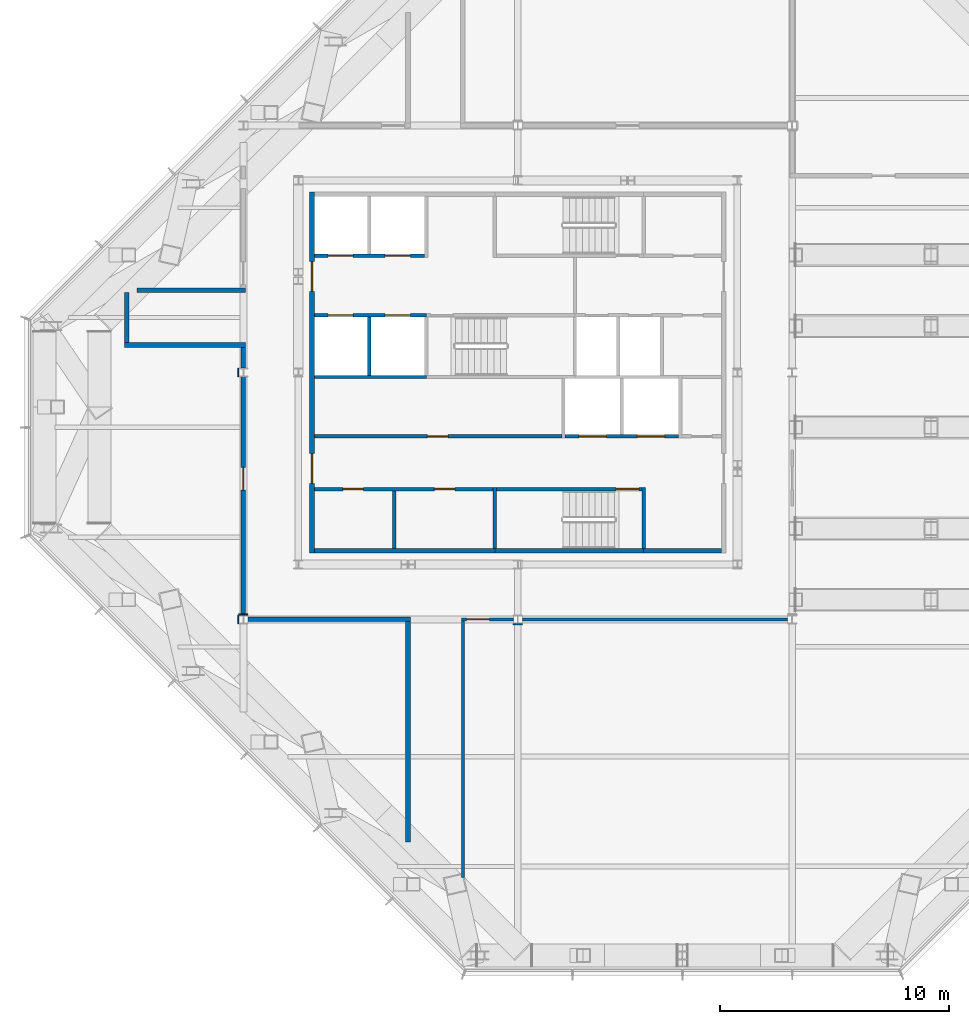
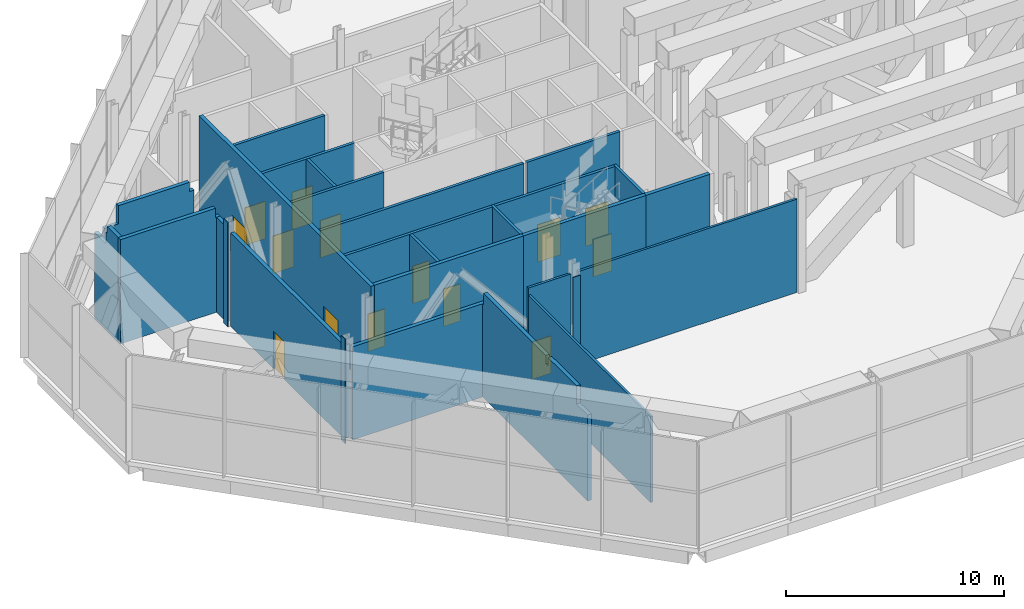
# One storey, part 14 of 18: 29 walls, 14 doors, 14 openings.
"""IFC4 building model written with IfcOpenShell, lengths in metres."""

import ifcopenshell
import ifcopenshell.guid

model = None  # the IFC model being written
_history = None  # IfcOwnerHistory: only IFC2X3 demands one
_inside = {}  # id of a spatial element -> (the spatial element, [elements in it])
_under = {}  # id of a project, library or spatial element -> (it, [spatial elements below it])
_declared = {}  # id of a project -> (the project, [libraries it declares])
_typed = {}  # id of a type object -> (the type object, [elements of that type])
_made_of = {}  # id of a material, layer set ... -> (it, [elements and type objects made of it])


def new_model(schema):
    """Start an empty IFC model of exactly this schema.

    Asked for "IFC4X3", IfcOpenShell would pick the latest addendum, in which some entities
    have other attributes; the version numbers below select the first issue.
    IFC2X3 requires an IfcOwnerHistory on every rooted entity: one is made here for all.
    """
    global model, _history
    if schema == "IFC4X3":
        model = ifcopenshell.file(schema_version=(4, 3, 0, 0))
    else:
        model = ifcopenshell.file(schema=schema)
    _inside.clear()
    _under.clear()
    _declared.clear()
    _typed.clear()
    _made_of.clear()
    _history = None
    if model.schema == "IFC2X3":
        org = make("IfcOrganization", Name="unknown")
        user = make(
            "IfcPersonAndOrganization",
            ThePerson=make("IfcPerson", FamilyName="unknown"),
            TheOrganization=org,
        )
        app = make(
            "IfcApplication",
            ApplicationDeveloper=org,
            Version="unknown",
            ApplicationFullName="unknown",
            ApplicationIdentifier="unknown",
        )
        _history = make(
            "IfcOwnerHistory",
            OwningUser=user,
            OwningApplication=app,
            ChangeAction="ADDED",
            CreationDate=0,
        )
    return model


def make(cls, **values):
    """One entity of the class cls with the attributes given. An attribute that is None is left unset."""
    return model.create_entity(
        cls, **{name: value for name, value in values.items() if value is not None}
    )


def rooted(cls, **values):
    """An entity with a GlobalId (a new one), such as an element, a storey or a relation."""
    return make(cls, GlobalId=ifcopenshell.guid.new(), OwnerHistory=_history, **values)


def si_unit(unit_type, name, prefix=None):
    """IfcSIUnit, for example si_unit("LENGTHUNIT", "METRE", prefix="MILLI")."""
    return make("IfcSIUnit", UnitType=unit_type, Prefix=prefix, Name=name)


def assignment(units):
    """IfcUnitAssignment: the units of a project."""
    return None if units is None else make("IfcUnitAssignment", Units=units)


def point(xyz):
    """IfcCartesianPoint."""
    return None if xyz is None else make("IfcCartesianPoint", Coordinates=xyz)


def direction(xyz):
    """IfcDirection."""
    return None if xyz is None else make("IfcDirection", DirectionRatios=xyz)


def frame(location, z_axis=None, x_axis=None):
    """IfcAxis2Placement3D, a coordinate frame: its origin and axes. An axis left out is left unset."""
    return make(
        "IfcAxis2Placement3D",
        Location=point(location),
        Axis=direction(z_axis),
        RefDirection=direction(x_axis),
    )


def frame_2d(location, x_axis=None):
    """IfcAxis2Placement2D, a coordinate frame in the plane: its origin and x axis."""
    return make(
        "IfcAxis2Placement2D", Location=point(location), RefDirection=direction(x_axis)
    )


def origin():
    """The frame at (0, 0, 0) with its axes left unset."""
    return frame((0.0, 0.0, 0.0))


def place(relative_to, where):
    """IfcLocalPlacement: puts the frame where relative to a parent placement (None: the world)."""
    return make(
        "IfcLocalPlacement", PlacementRelTo=relative_to, RelativePlacement=where
    )


def context(
    kind, dimensions, precision=None, world=None, true_north=None, identifier=None
):
    """IfcGeometricRepresentationContext, for example the 3D "Model" context."""
    return make(
        "IfcGeometricRepresentationContext",
        ContextIdentifier=identifier,
        ContextType=kind,
        CoordinateSpaceDimension=dimensions,
        Precision=precision,
        WorldCoordinateSystem=world,
        TrueNorth=true_north,
    )


def subcontext(parent, identifier, kind, view, scale=None):
    """IfcGeometricRepresentationSubContext, for example "Body" below "Model"."""
    return make(
        "IfcGeometricRepresentationSubContext",
        ContextIdentifier=identifier,
        ContextType=kind,
        ParentContext=parent,
        TargetScale=scale,
        TargetView=view,
    )


def project(units=None, contexts=None):
    """IfcProject with its units and contexts."""
    return rooted(
        "IfcProject",
        Name="project",
        RepresentationContexts=contexts,
        UnitsInContext=assignment(units),
    )


def spatial(cls, under=None, at=None, **own):
    """A site, building, storey or space (cls), placed at a placement, below another one or the project."""
    s = rooted(cls, ObjectPlacement=at, **own)
    if under is not None:
        _under.setdefault(under.id(), (under, []))[1].append(s)
    return s


def polyline(points):
    """IfcPolyline through the points."""
    return make("IfcPolyline", Points=[point(p) for p in points])


def profile(cls, at=None, kind="AREA", **sizes):
    """A parametric profile (cls). Its sizes go by their IFC names, for example OverallWidth=200.0."""
    return make(cls, ProfileType=kind, Position=at, **sizes)


def rectangle(**sizes):
    """IfcRectangleProfileDef."""
    return profile("IfcRectangleProfileDef", **sizes)


def outline(outer, holes=None, kind="AREA"):
    """IfcArbitraryClosedProfileDef: a profile drawn as a closed curve; with holes, ...WithVoids."""
    if holes is None:
        return make("IfcArbitraryClosedProfileDef", ProfileType=kind, OuterCurve=outer)
    return make(
        "IfcArbitraryProfileDefWithVoids",
        ProfileType=kind,
        OuterCurve=outer,
        InnerCurves=holes,
    )


def extrude(swept, where, along, depth):
    """IfcExtrudedAreaSolid: the profile swept, set in the frame where, extruded along a direction by depth."""
    return make(
        "IfcExtrudedAreaSolid",
        SweptArea=swept,
        Position=where,
        ExtrudedDirection=direction(along),
        Depth=depth,
    )


def shape(context_of_items, identifier, shape_type, items):
    """IfcShapeRepresentation: the items that make up one representation, for example the "Body"."""
    return make(
        "IfcShapeRepresentation",
        ContextOfItems=context_of_items,
        RepresentationIdentifier=identifier,
        RepresentationType=shape_type,
        Items=items,
    )


def material(Name=None, Category=None):
    """IfcMaterial."""
    return make("IfcMaterial", Name=Name, Category=Category)


def layer(
    of_material, thickness, ventilated=None, Name=None, Category=None, Priority=None
):
    """IfcMaterialLayer: one layer of a wall or slab, of a material (None: an air gap)."""
    return make(
        "IfcMaterialLayer",
        Material=of_material,
        LayerThickness=thickness,
        IsVentilated=ventilated,
        Name=Name,
        Category=Category,
        Priority=Priority,
    )


def layer_set(layers, Name=None):
    """IfcMaterialLayerSet."""
    return make("IfcMaterialLayerSet", MaterialLayers=layers, LayerSetName=Name)


def made_of(thing, what):
    """Note that an element or type object is made of a material, layer set ...; save() writes the relation."""
    if what is not None:
        _made_of.setdefault(what.id(), (what, []))[1].append(thing)
    return thing


def type_object(cls, material=None, **own):
    """A type object (cls), such as IfcWallType, which elements share."""
    return made_of(rooted(cls, **own), material)


def element(
    cls,
    number,
    at=None,
    inside=None,
    cuts=None,
    type_object=None,
    material=None,
    context=None,
    identifier="Body",
    shape_type=None,
    held_by="IfcProductDefinitionShape",
    body=None,
    shapes=None,
    **own,
):
    """One element of the class cls, such as IfcWall. Its Tag is "e" and its number.

    at: its placement. inside: the storey or other place that contains it. cuts: it is an
    opening in that element (IfcRelVoidsElement). A single representation is given by context,
    identifier, shape_type and body (its items); several are given by shapes. held_by: the class
    of the entity that holds the representations. save() writes the other relations.
    """
    e = rooted(cls, Tag="e%d" % number, ObjectPlacement=at, **own)
    if body is not None:
        shapes = [shape(context, identifier, shape_type, body)]
    if shapes is not None:
        e.Representation = make(held_by, Representations=shapes)
    if inside is not None:
        _inside.setdefault(inside.id(), (inside, []))[1].append(e)
    if cuts is not None:
        rooted(
            "IfcRelVoidsElement", RelatingBuildingElement=cuts, RelatedOpeningElement=e
        )
    if type_object is not None:
        _typed.setdefault(type_object.id(), (type_object, []))[1].append(e)
    return made_of(e, material)


def fill(opening, filler):
    """IfcRelFillsElement: the door or window that sits in an opening."""
    return rooted(
        "IfcRelFillsElement",
        RelatingOpeningElement=opening,
        RelatedBuildingElement=filler,
    )


def aggregate(whole, parts):
    """IfcRelAggregates: a whole, such as a stair, and the parts it consists of."""
    return rooted("IfcRelAggregates", RelatingObject=whole, RelatedObjects=parts)


def save(model, path):
    """Write the relations noted so far, then the file.

    IfcRelAggregates (storeys below a building ...), IfcRelContainedInSpatialStructure (elements
    in a storey), IfcRelDefinesByType, IfcRelAssociatesMaterial and IfcRelDeclares: one each for
    every whole, place, type object, material and project.
    """
    for whole, parts in _under.values():
        aggregate(whole, parts)
    for where, things in _inside.values():
        rooted(
            "IfcRelContainedInSpatialStructure",
            RelatedElements=things,
            RelatingStructure=where,
        )
    for kind, things in _typed.values():
        rooted("IfcRelDefinesByType", RelatedObjects=things, RelatingType=kind)
    for what, things in _made_of.values():
        rooted("IfcRelAssociatesMaterial", RelatedObjects=things, RelatingMaterial=what)
    for by, libraries in _declared.values():
        rooted("IfcRelDeclares", RelatingContext=by, RelatedDefinitions=libraries)
    model.write(path)


model = new_model("IFC4")

# Units and contexts
model_context = context("Model", 3, precision=1e-05, world=origin(), true_north=direction((0.0, 1.0)))
body_context = subcontext(model_context, "Body", "Model", "MODEL_VIEW")
ifc_project = project(units=[si_unit("LENGTHUNIT", "METRE"), si_unit("AREAUNIT", "SQUARE_METRE"), si_unit("VOLUMEUNIT", "CUBIC_METRE"), si_unit("PLANEANGLEUNIT", "RADIAN"), si_unit("MASSUNIT", "GRAM", prefix="KILO")], contexts=[model_context])

# Site, building, storey
site_placement = place(None, origin())
site = spatial("IfcSite", under=ifc_project, at=site_placement, CompositionType="ELEMENT")
building_placement = place(site_placement, origin())
building = spatial("IfcBuilding", under=site, at=building_placement, Name="Cairn Pilgrim Tower", CompositionType="ELEMENT")
storey_placement = place(building_placement, frame((0.0, 0.0, 261.0)))
storey = spatial("IfcBuildingStorey", under=building, at=storey_placement, Name="L67", CompositionType="ELEMENT", Elevation=261.0)

# Walls
ifc_material_1 = material(Name="Concrete C32/40", Category="concrete")
ifc_layer_1 = layer(ifc_material_1, 0.199951171875)
ifc_layer_set_1 = layer_set([ifc_layer_1], Name="CORE OUTER WALL 200 EI 120")
wall_type_1 = type_object("IfcWallType", Name="CORE OUTER WALL 200 EI 120", PredefinedType="SOLIDWALL", material=ifc_layer_set_1)
wall_1_placement = place(storey_placement, frame((-1.699951171875, -5.39990234375, 0.0), z_axis=(0.0, 0.0, 1.0), x_axis=(1.0, 0.0, 0.0)))
element("IfcWall", 1, at=wall_1_placement, inside=storey, type_object=wall_type_1, Name="CW:L67:H01-1", PredefinedType="SOLIDWALL", context=body_context, shape_type="SweptSolid", body=[
    extrude(rectangle(XDim=7.89990234375, YDim=0.199951171875, at=frame_2d((3.949951171875, 0.0))), origin(), (0.0, 0.0, 1.0), 5.85009765625),
])
wall_2_placement = place(storey_placement, frame((12.699951171875, -5.39990234375, 0.0), z_axis=(0.0, 0.0, 1.0), x_axis=(1.0, 0.0, 0.0)))
element("IfcWall", 2, at=wall_2_placement, inside=storey, type_object=wall_type_1, Name="CW:L67:H01-3", PredefinedType="SOLIDWALL", context=body_context, shape_type="SweptSolid", body=[
    extrude(rectangle(XDim=3.400146484375, YDim=0.199951171875, at=frame_2d((1.7001953125, 0.0))), origin(), (0.0, 0.0, 1.0), 5.85009765625),
])

# Wall, openings, doors
wall_3_placement = place(storey_placement, frame((-1.800048828125, -5.5, 0.0), z_axis=(0.0, 0.0, 1.0), x_axis=(0.0, 1.0, 0.0)))
wall_3 = element("IfcWall", 3, at=wall_3_placement, inside=storey, type_object=wall_type_1, Name="CW:L67:V13", PredefinedType="SOLIDWALL", context=body_context, shape_type="SweptSolid", body=[
    extrude(rectangle(XDim=15.800048828125, YDim=0.199951171875, at=frame_2d((7.89990234375, 0.0))), origin(), (0.0, 0.0, 1.0), 5.85009765625),
])
opening_1_placement = place(wall_3_placement, frame((3.050048828125, 0.0, 0.0)))
opening_1 = element("IfcOpeningElement", 4, at=opening_1_placement, cuts=wall_3, Name="Opening CD-W1", PredefinedType="OPENING", context=body_context, shape_type="SweptSolid", body=[
    extrude(rectangle(XDim=1.300048828125, YDim=2.10009765625, at=frame_2d((0.64990234375, 1.050048828125))), frame((0.0, 0.10986328125, 0.0), z_axis=(0.0, -1.0, 0.0), x_axis=(1.0, 0.0, 0.0)), (0.0, 0.0, 1.0), 0.219970703125),
])
opening_2_placement = place(wall_3_placement, frame((11.449951171875, 0.0, 0.0)))
opening_2 = element("IfcOpeningElement", 5, at=opening_2_placement, cuts=wall_3, Name="Opening CD-W2", PredefinedType="OPENING", context=body_context, shape_type="SweptSolid", body=[
    extrude(rectangle(XDim=1.300048828125, YDim=2.10009765625, at=frame_2d((0.64990234375, 1.050048828125))), frame((0.0, 0.10986328125, 0.0), z_axis=(0.0, -1.0, 0.0), x_axis=(1.0, 0.0, 0.0)), (0.0, 0.0, 1.0), 0.219970703125),
])
ifc_material_2 = material(Name="Painted steel", Category="steel")
door_type_1 = type_object("IfcDoorType", Name="CORE LOBBY DOOR 1300x2100", OperationType="DOUBLE_DOOR_SINGLE_SWING", PredefinedType="DOOR", material=ifc_material_2)
door_1_placement = place(opening_1_placement, origin())
door_1 = element("IfcDoor", 6, at=door_1_placement, inside=storey, type_object=door_type_1, Name="CD-W1", OperationType="DOUBLE_DOOR_SINGLE_SWING", OverallHeight=2.10009765625, OverallWidth=1.300048828125, PredefinedType="DOOR", context=body_context, shape_type="SweptSolid", body=[
    extrude(rectangle(XDim=1.300048828125, YDim=2.10009765625, at=frame_2d((0.64990234375, 1.050048828125))), frame((0.0, 0.02490234375, 0.0), z_axis=(0.0, -1.0, 0.0), x_axis=(1.0, 0.0, 0.0)), (0.0, 0.0, 1.0), 0.050048828125),
])
fill(opening_1, door_1)
door_2_placement = place(opening_2_placement, origin())
door_2 = element("IfcDoor", 7, at=door_2_placement, inside=storey, type_object=door_type_1, Name="CD-W2", OperationType="DOUBLE_DOOR_SINGLE_SWING", OverallHeight=2.10009765625, OverallWidth=1.300048828125, PredefinedType="DOOR", context=body_context, shape_type="SweptSolid", body=[
    extrude(rectangle(XDim=1.300048828125, YDim=2.10009765625, at=frame_2d((0.64990234375, 1.050048828125))), frame((0.0, 0.02490234375, 0.0), z_axis=(0.0, -1.0, 0.0), x_axis=(1.0, 0.0, 0.0)), (0.0, 0.0, 1.0), 0.050048828125),
])
fill(opening_2, door_2)

ifc_layer_2 = layer(ifc_material_1, 0.14990234375)
ifc_layer_set_2 = layer_set([ifc_layer_2], Name="CORE PARTITION 150 EI 60")
wall_type_2 = type_object("IfcWallType", Name="CORE PARTITION 150 EI 60", PredefinedType="PARTITIONING", material=ifc_layer_set_2)
wall_4_placement = place(storey_placement, frame((-1.699951171875, -2.699951171875, 0.0), z_axis=(0.0, 0.0, 1.0), x_axis=(1.0, 0.0, 0.0)))
wall_4 = element("IfcWall", 8, at=wall_4_placement, inside=storey, type_object=wall_type_2, Name="CW:L67:H02", PredefinedType="PARTITIONING", context=body_context, shape_type="SweptSolid", body=[
    extrude(rectangle(XDim=7.824951171875, YDim=0.14990234375, at=frame_2d((3.91259765625, 0.0))), origin(), (0.0, 0.0, 1.0), 5.85009765625),
])
opening_3_placement = place(wall_4_placement, frame((1.25, 0.0, 0.0)))
opening_3 = element("IfcOpeningElement", 9, at=opening_3_placement, cuts=wall_4, Name="Opening RD-R1W1", PredefinedType="OPENING", context=body_context, shape_type="SweptSolid", body=[
    extrude(rectangle(XDim=0.89990234375, YDim=2.10009765625, at=frame_2d((0.449951171875, 1.050048828125))), frame((0.0, 0.0849609375, 0.0), z_axis=(0.0, -1.0, 0.0), x_axis=(1.0, 0.0, 0.0)), (0.0, 0.0, 1.0), 0.169921875),
])
opening_4_placement = place(wall_4_placement, frame((5.25, 0.0, 0.0)))
opening_4 = element("IfcOpeningElement", 10, at=opening_4_placement, cuts=wall_4, Name="Opening RD-R1W2", PredefinedType="OPENING", context=body_context, shape_type="SweptSolid", body=[
    extrude(rectangle(XDim=0.89990234375, YDim=2.10009765625, at=frame_2d((0.449951171875, 1.050048828125))), frame((0.0, 0.0849609375, 0.0), z_axis=(0.0, -1.0, 0.0), x_axis=(1.0, 0.0, 0.0)), (0.0, 0.0, 1.0), 0.169921875),
])
door_type_2 = type_object("IfcDoorType", Name="SERVICE ROOM DOOR 900x2100", OperationType="SINGLE_SWING_LEFT", PredefinedType="DOOR", material=ifc_material_2)
door_3_placement = place(opening_3_placement, origin())
door_3 = element("IfcDoor", 11, at=door_3_placement, inside=storey, type_object=door_type_2, Name="RD-R1W1", OperationType="SINGLE_SWING_RIGHT", OverallHeight=2.10009765625, OverallWidth=0.89990234375, PredefinedType="DOOR", context=body_context, shape_type="SweptSolid", body=[
    extrude(rectangle(XDim=0.89990234375, YDim=2.10009765625, at=frame_2d((0.449951171875, 1.050048828125))), frame((0.0, 0.02490234375, 0.0), z_axis=(0.0, -1.0, 0.0), x_axis=(1.0, 0.0, 0.0)), (0.0, 0.0, 1.0), 0.050048828125),
])
fill(opening_3, door_3)
door_4_placement = place(opening_4_placement, origin())
door_4 = element("IfcDoor", 12, at=door_4_placement, inside=storey, type_object=door_type_2, Name="RD-R1W2", OperationType="SINGLE_SWING_LEFT", OverallHeight=2.10009765625, OverallWidth=0.89990234375, PredefinedType="DOOR", context=body_context, shape_type="SweptSolid", body=[
    extrude(rectangle(XDim=0.89990234375, YDim=2.10009765625, at=frame_2d((0.449951171875, 1.050048828125))), frame((0.0, 0.02490234375, 0.0), z_axis=(0.0, -1.0, 0.0), x_axis=(1.0, 0.0, 0.0)), (0.0, 0.0, 1.0), 0.050048828125),
])
fill(opening_4, door_4)

# Wall, opening, door
wall_5_placement = place(storey_placement, frame((-1.699951171875, -0.39990234375, 0.0), z_axis=(0.0, 0.0, 1.0), x_axis=(1.0, 0.0, 0.0)))
wall_5 = element("IfcWall", 13, at=wall_5_placement, inside=storey, type_object=wall_type_2, Name="CW:L67:H04", PredefinedType="PARTITIONING", context=body_context, shape_type="SweptSolid", body=[
    extrude(rectangle(XDim=10.824951171875, YDim=0.14990234375, at=frame_2d((5.41259765625, 0.0))), origin(), (0.0, 0.0, 1.0), 5.85009765625),
])
opening_5_placement = place(wall_5_placement, frame((4.949951171875, 0.0, 0.0)))
opening_5 = element("IfcOpeningElement", 14, at=opening_5_placement, cuts=wall_5, Name="Opening RD-R2W1", PredefinedType="OPENING", context=body_context, shape_type="SweptSolid", body=[
    extrude(rectangle(XDim=0.89990234375, YDim=2.10009765625, at=frame_2d((0.449951171875, 1.050048828125))), frame((0.0, 0.0849609375, 0.0), z_axis=(0.0, -1.0, 0.0), x_axis=(1.0, 0.0, 0.0)), (0.0, 0.0, 1.0), 0.169921875),
])
door_5_placement = place(opening_5_placement, origin())
door_5 = element("IfcDoor", 15, at=door_5_placement, inside=storey, type_object=door_type_2, Name="RD-R2W1", OperationType="SINGLE_SWING_RIGHT", OverallHeight=2.10009765625, OverallWidth=0.89990234375, PredefinedType="DOOR", context=body_context, shape_type="SweptSolid", body=[
    extrude(rectangle(XDim=0.89990234375, YDim=2.10009765625, at=frame_2d((0.449951171875, 1.050048828125))), frame((0.0, 0.02490234375, 0.0), z_axis=(0.0, -1.0, 0.0), x_axis=(1.0, 0.0, 0.0)), (0.0, 0.0, 1.0), 0.050048828125),
])
fill(opening_5, door_5)

# Wall
wall_6_placement = place(storey_placement, frame((1.800048828125, -5.300048828125, 0.0), z_axis=(0.0, 0.0, 1.0), x_axis=(0.0, 1.0, 0.0)))
element("IfcWall", 16, at=wall_6_placement, inside=storey, type_object=wall_type_2, Name="CW:L67:V16", PredefinedType="PARTITIONING", context=body_context, shape_type="SweptSolid", body=[
    extrude(rectangle(XDim=2.525146484375, YDim=0.14990234375, at=frame_2d((1.2626953125, 0.0))), origin(), (0.0, 0.0, 1.0), 5.85009765625),
])

# Wall, openings, doors
ifc_layer_3 = layer(ifc_material_1, 0.14990234375)
ifc_layer_set_3 = layer_set([ifc_layer_3], Name="CORE SHAFT WALL 150 EI 120")
wall_type_3 = type_object("IfcWallType", Name="CORE SHAFT WALL 150 EI 120", PredefinedType="SOLIDWALL", material=ifc_layer_set_3)
wall_7_placement = place(storey_placement, frame((9.27490234375, -0.39990234375, 0.0), z_axis=(0.0, 0.0, 1.0), x_axis=(1.0, 0.0, 0.0)))
wall_7 = element("IfcWall", 17, at=wall_7_placement, inside=storey, type_object=wall_type_3, Name="CW:L67:H05", PredefinedType="SOLIDWALL", context=body_context, shape_type="SweptSolid", body=[
    extrude(rectangle(XDim=4.9501953125, YDim=0.14990234375, at=frame_2d((2.47509765625, 0.0))), origin(), (0.0, 0.0, 1.0), 5.85009765625),
])
opening_6_placement = place(wall_7_placement, frame((0.60009765625, 0.0, 0.0)))
opening_6 = element("IfcOpeningElement", 18, at=opening_6_placement, cuts=wall_7, Name="Opening LD-SV1", PredefinedType="OPENING", context=body_context, shape_type="SweptSolid", body=[
    extrude(rectangle(XDim=1.199951171875, YDim=2.10009765625, at=frame_2d((0.60009765625, 1.050048828125))), frame((0.0, 0.0849609375, 0.0), z_axis=(0.0, -1.0, 0.0), x_axis=(1.0, 0.0, 0.0)), (0.0, 0.0, 1.0), 0.169921875),
])
opening_7_placement = place(wall_7_placement, frame((3.14990234375, 0.0, 0.0)))
opening_7 = element("IfcOpeningElement", 19, at=opening_7_placement, cuts=wall_7, Name="Opening LD-SV2", PredefinedType="OPENING", context=body_context, shape_type="SweptSolid", body=[
    extrude(rectangle(XDim=1.199951171875, YDim=2.10009765625, at=frame_2d((0.60009765625, 1.050048828125))), frame((0.0, 0.0849609375, 0.0), z_axis=(0.0, -1.0, 0.0), x_axis=(1.0, 0.0, 0.0)), (0.0, 0.0, 1.0), 0.169921875),
])
ifc_material_3 = material(Name="Stainless steel", Category="steel")
door_type_3 = type_object("IfcDoorType", Name="LIFT LANDING DOOR 1200x2100", OperationType="DOUBLE_DOOR_SLIDING", PredefinedType="DOOR", material=ifc_material_3)
door_6_placement = place(opening_6_placement, origin())
door_6 = element("IfcDoor", 20, at=door_6_placement, inside=storey, type_object=door_type_3, Name="LANDING DOOR SV1", OperationType="DOUBLE_DOOR_SLIDING", OverallHeight=2.10009765625, OverallWidth=1.199951171875, PredefinedType="DOOR", context=body_context, shape_type="SweptSolid", body=[
    extrude(rectangle(XDim=1.199951171875, YDim=2.10009765625, at=frame_2d((0.60009765625, 1.050048828125))), frame((0.0, 0.02490234375, 0.0), z_axis=(0.0, -1.0, 0.0), x_axis=(1.0, 0.0, 0.0)), (0.0, 0.0, 1.0), 0.050048828125),
])
fill(opening_6, door_6)
door_7_placement = place(opening_7_placement, origin())
door_7 = element("IfcDoor", 21, at=door_7_placement, inside=storey, type_object=door_type_3, Name="LANDING DOOR SV2", OperationType="DOUBLE_DOOR_SLIDING", OverallHeight=2.10009765625, OverallWidth=1.199951171875, PredefinedType="DOOR", context=body_context, shape_type="SweptSolid", body=[
    extrude(rectangle(XDim=1.199951171875, YDim=2.10009765625, at=frame_2d((0.60009765625, 1.050048828125))), frame((0.0, 0.02490234375, 0.0), z_axis=(0.0, -1.0, 0.0), x_axis=(1.0, 0.0, 0.0)), (0.0, 0.0, 1.0), 0.050048828125),
])
fill(opening_7, door_7)

# Wall
wall_8_placement = place(storey_placement, frame((-1.699951171875, 2.199951171875, 0.0), z_axis=(0.0, 0.0, 1.0), x_axis=(1.0, 0.0, 0.0)))
element("IfcWall", 22, at=wall_8_placement, inside=storey, type_object=wall_type_3, Name="CW:L67:H07-1", PredefinedType="SOLIDWALL", context=body_context, shape_type="SweptSolid", body=[
    extrude(rectangle(XDim=4.89990234375, YDim=0.14990234375, at=frame_2d((2.449951171875, 0.0))), origin(), (0.0, 0.0, 1.0), 5.85009765625),
])

# Wall, openings, doors
wall_9_placement = place(storey_placement, frame((-1.699951171875, 4.89990234375, 0.0), z_axis=(0.0, 0.0, 1.0), x_axis=(1.0, 0.0, 0.0)))
wall_9 = element("IfcWall", 23, at=wall_9_placement, inside=storey, type_object=wall_type_3, Name="CW:L67:H09-1", PredefinedType="SOLIDWALL", context=body_context, shape_type="SweptSolid", body=[
    extrude(rectangle(XDim=4.89990234375, YDim=0.14990234375, at=frame_2d((2.449951171875, 0.0))), origin(), (0.0, 0.0, 1.0), 5.85009765625),
])
opening_8_placement = place(wall_9_placement, frame((0.60009765625, 0.0, 0.0)))
opening_8 = element("IfcOpeningElement", 24, at=opening_8_placement, cuts=wall_9, Name="Opening LD-HR1", PredefinedType="OPENING", context=body_context, shape_type="SweptSolid", body=[
    extrude(rectangle(XDim=1.10009765625, YDim=2.10009765625, at=frame_2d((0.550048828125, 1.050048828125))), frame((0.0, 0.0849609375, 0.0), z_axis=(0.0, -1.0, 0.0), x_axis=(1.0, 0.0, 0.0)), (0.0, 0.0, 1.0), 0.169921875),
])
opening_9_placement = place(wall_9_placement, frame((3.10009765625, 0.0, 0.0)))
opening_9 = element("IfcOpeningElement", 25, at=opening_9_placement, cuts=wall_9, Name="Opening LD-HR2", PredefinedType="OPENING", context=body_context, shape_type="SweptSolid", body=[
    extrude(rectangle(XDim=1.10009765625, YDim=2.10009765625, at=frame_2d((0.550048828125, 1.050048828125))), frame((0.0, 0.0849609375, 0.0), z_axis=(0.0, -1.0, 0.0), x_axis=(1.0, 0.0, 0.0)), (0.0, 0.0, 1.0), 0.169921875),
])
door_type_4 = type_object("IfcDoorType", Name="LIFT LANDING DOOR 1100x2100", OperationType="DOUBLE_DOOR_SLIDING", PredefinedType="DOOR", material=ifc_material_3)
door_8_placement = place(opening_8_placement, origin())
door_8 = element("IfcDoor", 26, at=door_8_placement, inside=storey, type_object=door_type_4, Name="LANDING DOOR HR1", OperationType="DOUBLE_DOOR_SLIDING", OverallHeight=2.10009765625, OverallWidth=1.10009765625, PredefinedType="DOOR", context=body_context, shape_type="SweptSolid", body=[
    extrude(rectangle(XDim=1.10009765625, YDim=2.10009765625, at=frame_2d((0.550048828125, 1.050048828125))), frame((0.0, 0.02490234375, 0.0), z_axis=(0.0, -1.0, 0.0), x_axis=(1.0, 0.0, 0.0)), (0.0, 0.0, 1.0), 0.050048828125),
])
fill(opening_8, door_8)
door_9_placement = place(opening_9_placement, origin())
door_9 = element("IfcDoor", 27, at=door_9_placement, inside=storey, type_object=door_type_4, Name="LANDING DOOR HR2", OperationType="DOUBLE_DOOR_SLIDING", OverallHeight=2.10009765625, OverallWidth=1.10009765625, PredefinedType="DOOR", context=body_context, shape_type="SweptSolid", body=[
    extrude(rectangle(XDim=1.10009765625, YDim=2.10009765625, at=frame_2d((0.550048828125, 1.050048828125))), frame((0.0, 0.02490234375, 0.0), z_axis=(0.0, -1.0, 0.0), x_axis=(1.0, 0.0, 0.0)), (0.0, 0.0, 1.0), 0.050048828125),
])
fill(opening_9, door_9)

wall_10_placement = place(storey_placement, frame((-1.699951171875, 7.5, 0.0), z_axis=(0.0, 0.0, 1.0), x_axis=(1.0, 0.0, 0.0)))
wall_10 = element("IfcWall", 28, at=wall_10_placement, inside=storey, type_object=wall_type_3, Name="CW:L67:H10", PredefinedType="SOLIDWALL", context=body_context, shape_type="SweptSolid", body=[
    extrude(rectangle(XDim=4.824951171875, YDim=0.14990234375, at=frame_2d((2.41259765625, 0.0))), origin(), (0.0, 0.0, 1.0), 5.85009765625),
])
opening_10_placement = place(wall_10_placement, frame((0.60009765625, 0.0, 0.0)))
opening_10 = element("IfcOpeningElement", 29, at=opening_10_placement, cuts=wall_10, Name="Opening LD-HR3", PredefinedType="OPENING", context=body_context, shape_type="SweptSolid", body=[
    extrude(rectangle(XDim=1.10009765625, YDim=2.10009765625, at=frame_2d((0.550048828125, 1.050048828125))), frame((0.0, 0.0849609375, 0.0), z_axis=(0.0, -1.0, 0.0), x_axis=(1.0, 0.0, 0.0)), (0.0, 0.0, 1.0), 0.169921875),
])
opening_11_placement = place(wall_10_placement, frame((3.10009765625, 0.0, 0.0)))
opening_11 = element("IfcOpeningElement", 30, at=opening_11_placement, cuts=wall_10, Name="Opening LD-HR4", PredefinedType="OPENING", context=body_context, shape_type="SweptSolid", body=[
    extrude(rectangle(XDim=1.10009765625, YDim=2.10009765625, at=frame_2d((0.550048828125, 1.050048828125))), frame((0.0, 0.0849609375, 0.0), z_axis=(0.0, -1.0, 0.0), x_axis=(1.0, 0.0, 0.0)), (0.0, 0.0, 1.0), 0.169921875),
])
door_10_placement = place(opening_10_placement, origin())
door_10 = element("IfcDoor", 31, at=door_10_placement, inside=storey, type_object=door_type_4, Name="LANDING DOOR HR3", OperationType="DOUBLE_DOOR_SLIDING", OverallHeight=2.10009765625, OverallWidth=1.10009765625, PredefinedType="DOOR", context=body_context, shape_type="SweptSolid", body=[
    extrude(rectangle(XDim=1.10009765625, YDim=2.10009765625, at=frame_2d((0.550048828125, 1.050048828125))), frame((0.0, 0.02490234375, 0.0), z_axis=(0.0, -1.0, 0.0), x_axis=(1.0, 0.0, 0.0)), (0.0, 0.0, 1.0), 0.050048828125),
])
fill(opening_10, door_10)
door_11_placement = place(opening_11_placement, origin())
door_11 = element("IfcDoor", 32, at=door_11_placement, inside=storey, type_object=door_type_4, Name="LANDING DOOR HR4", OperationType="DOUBLE_DOOR_SLIDING", OverallHeight=2.10009765625, OverallWidth=1.10009765625, PredefinedType="DOOR", context=body_context, shape_type="SweptSolid", body=[
    extrude(rectangle(XDim=1.10009765625, YDim=2.10009765625, at=frame_2d((0.550048828125, 1.050048828125))), frame((0.0, 0.02490234375, 0.0), z_axis=(0.0, -1.0, 0.0), x_axis=(1.0, 0.0, 0.0)), (0.0, 0.0, 1.0), 0.050048828125),
])
fill(opening_11, door_11)

# Walls
wall_11_placement = place(storey_placement, frame((0.699951171875, 2.27490234375, 0.0), z_axis=(0.0, 0.0, 1.0), x_axis=(0.0, 1.0, 0.0)))
element("IfcWall", 33, at=wall_11_placement, inside=storey, type_object=wall_type_3, Name="CW:L67:V14", PredefinedType="SOLIDWALL", context=body_context, shape_type="SweptSolid", body=[
    extrude(rectangle(XDim=2.550048828125, YDim=0.14990234375, at=frame_2d((1.27490234375, 0.0))), origin(), (0.0, 0.0, 1.0), 5.85009765625),
])
ifc_material_4 = material(Name="Gypsum partition")
ifc_layer_4 = layer(ifc_material_4, 0.125)
ifc_layer_set_4 = layer_set([ifc_layer_4], Name="PARTITION 125 DRYWALL EI 60")
wall_type_4 = type_object("IfcWallType", Name="PARTITION 125 DRYWALL EI 60", PredefinedType="PARTITIONING", material=ifc_layer_set_4)
wall_12_placement = place(storey_placement, frame((4.800048828125, -19.68798828125, 0.0), z_axis=(0.0, 0.0, 1.0), x_axis=(0.0, 1.0, 0.0)))
element("IfcWall", 34, at=wall_12_placement, inside=storey, type_object=wall_type_4, Name="PARTITION W002", PredefinedType="PARTITIONING", context=body_context, shape_type="SweptSolid", body=[
    extrude(outline(polyline([(0.0, 0.0), (11.225341796875, 0.0), (11.225341796875, 1.46240234375), (11.225341796875, 2.925048828125), (11.225341796875, 4.387451171875), (11.225341796875, 4.830078125), (0.0, 4.830078125), (0.0, 4.387451171875), (0.0, 2.925048828125), (0.0, 1.46240234375), (0.0, 0.0)])), frame((0.0, 0.0625, 0.0), z_axis=(0.0, -1.0, 0.0), x_axis=(1.0, 0.0, 0.0)), (0.0, 0.0, 1.0), 0.125),
])

# Wall, opening, door
wall_13_placement = place(storey_placement, frame((4.737548828125, -8.39990234375, 0.0), z_axis=(0.0, 0.0, 1.0), x_axis=(1.0, 0.0, 0.0)))
wall_13 = element("IfcWall", 35, at=wall_13_placement, inside=storey, type_object=wall_type_4, Name="PARTITION W005", PredefinedType="PARTITIONING", context=body_context, shape_type="SweptSolid", body=[
    extrude(rectangle(XDim=2.265380859375, YDim=0.125, at=frame_2d((1.1328125, 0.0))), origin(), (0.0, 0.0, 1.0), 5.22998046875),
])
opening_12_placement = place(wall_13_placement, frame((0.22314453125, 0.0, 0.0)))
opening_12 = element("IfcOpeningElement", 36, at=opening_12_placement, cuts=wall_13, Name="Opening 6707", PredefinedType="OPENING", context=body_context, shape_type="SweptSolid", body=[
    extrude(rectangle(XDim=1.0, YDim=2.10009765625, at=frame_2d((0.5, 1.050048828125))), frame((0.0, 0.072509765625, 0.0), z_axis=(0.0, -1.0, 0.0), x_axis=(1.0, 0.0, 0.0)), (0.0, 0.0, 1.0), 0.14501953125),
])
ifc_material_5 = material(Name="Steel-faced fire door leaf", Category="steel")
door_type_5 = type_object("IfcDoorType", Name="FIRE DOOR 1000x2100 FD60S", OperationType="NOTDEFINED", PredefinedType="DOOR", material=ifc_material_5)
door_12_placement = place(opening_12_placement, origin())
door_12 = element("IfcDoor", 37, at=door_12_placement, inside=storey, type_object=door_type_5, Name="DOOR 6707", OperationType="SINGLE_SWING_RIGHT", OverallHeight=2.10009765625, OverallWidth=1.0, PredefinedType="DOOR", context=body_context, shape_type="SweptSolid", body=[
    extrude(rectangle(XDim=1.0, YDim=2.10009765625, at=frame_2d((0.5, 1.050048828125))), frame((0.0, 0.02490234375, 0.0), z_axis=(0.0, -1.0, 0.0), x_axis=(1.0, 0.0, 0.0)), (0.0, 0.0, 1.0), 0.050048828125),
])
fill(opening_12, door_12)

# Walls
wall_14_placement = place(storey_placement, frame((7.39697265625, -8.39990234375, 0.0), z_axis=(0.0, 0.0, 1.0), x_axis=(1.0, 0.0, 0.0)))
element("IfcWall", 38, at=wall_14_placement, inside=storey, type_object=wall_type_4, Name="PARTITION W006", PredefinedType="PARTITIONING", context=body_context, shape_type="SweptSolid", body=[
    extrude(rectangle(XDim=11.60595703125, YDim=0.125, at=frame_2d((5.802978515625, 0.0))), origin(), (0.0, 0.0, 1.0), 5.22998046875),
])
ifc_layer_5 = layer(ifc_material_4, 0.050048828125)
ifc_layer_set_5 = layer_set([ifc_layer_5], Name="PARTITION 50 DRYWALL EI 120")
wall_type_5 = type_object("IfcWallType", Name="PARTITION 50 DRYWALL EI 120", PredefinedType="PARTITIONING", material=ifc_layer_set_5)
wall_15_placement = place(storey_placement, frame((-4.9970703125, -8.1875, 0.0), z_axis=(0.0, 0.0, 1.0), x_axis=(1.0, 0.0, 0.0)))
element("IfcWall", 39, at=wall_15_placement, inside=storey, type_object=wall_type_5, Name="COLUMN CASING WC01", PredefinedType="PARTITIONING", context=body_context, shape_type="SweptSolid", body=[
    extrude(rectangle(XDim=0.39404296875, YDim=0.050048828125, at=frame_2d((0.197021484375, 0.0))), origin(), (0.0, 0.0, 1.0), 5.22998046875),
])
for number, where, z_axis, x_axis, name in (
    (40, (-5.02197265625, -8.58740234375, 0.0), (0.0, 0.0, 1.0), (0.0, 1.0, 0.0), "COLUMN CASING WC04"),
    (41, (-5.02197265625, 2.21240234375, 0.0), (0.0, 0.0, 1.0), (0.0, 1.0, 0.0), "COLUMN CASING WC05"),
):
    element("IfcWall", number, at=place(storey_placement, frame(where, z_axis=z_axis, x_axis=x_axis)), inside=storey, type_object=wall_type_5, Name=name, PredefinedType="PARTITIONING", context=body_context, shape_type="SweptSolid", body=[
        extrude(rectangle(XDim=0.375, YDim=0.050048828125, at=frame_2d((0.1875, 0.0))), origin(), (0.0, 0.0, 1.0), 5.85009765625),
    ])
ifc_layer_6 = layer(ifc_material_4, 0.050048828125)
ifc_layer_set_6 = layer_set([ifc_layer_6], Name="PARTITION 50 DRYWALL EI 60")
wall_type_6 = type_object("IfcWallType", Name="PARTITION 50 DRYWALL EI 60", PredefinedType="PARTITIONING", material=ifc_layer_set_6)
wall_16_placement = place(storey_placement, frame((7.0029296875, -8.612548828125, 0.0), z_axis=(0.0, 0.0, 1.0), x_axis=(1.0, 0.0, 0.0)))
element("IfcWall", 42, at=wall_16_placement, inside=storey, type_object=wall_type_6, Name="COLUMN CASING WC02", PredefinedType="PARTITIONING", context=body_context, shape_type="SweptSolid", body=[
    extrude(rectangle(XDim=0.39404296875, YDim=0.050048828125, at=frame_2d((0.197021484375, 0.0))), origin(), (0.0, 0.0, 1.0), 5.1298828125),
])
ifc_layer_7 = layer(ifc_material_4, 0.199951171875)
ifc_layer_set_7 = layer_set([ifc_layer_7], Name="SHAFT WALL 200 GYPSUM EI 120")
wall_type_7 = type_object("IfcWallType", Name="SHAFT WALL 200 GYPSUM EI 120", PredefinedType="PARTITIONING", material=ifc_layer_set_7)
wall_17_placement = place(storey_placement, frame((2.39990234375, -18.1396484375, 0.0), z_axis=(0.0, 0.0, 1.0), x_axis=(0.0, 1.0, 0.0)))
element("IfcWall", 43, at=wall_17_placement, inside=storey, type_object=wall_type_7, Name="PARTITION W003", PredefinedType="PARTITIONING", context=body_context, shape_type="SweptSolid", body=[
    extrude(outline(polyline([(0.0, 0.0), (9.6396484375, 0.0), (9.6396484375, 5.22998046875), (9.589599609375, 5.22998046875), (9.587646484375, 5.85009765625), (3.834716796875, 5.85009765625), (3.83251953125, 5.3798828125), (3.64453125, 5.3798828125), (3.642578125, 5.85009765625), (1.01953125, 5.85009765625), (1.017578125, 4.830078125), (0.0, 4.830078125), (0.0, 0.0)])), frame((0.0, 0.10009765625, 0.0), z_axis=(0.0, -1.0, 0.0), x_axis=(1.0, 0.0, 0.0)), (0.0, 0.0, 1.0), 0.199951171875),
])
wall_18_placement = place(storey_placement, frame((-4.60302734375, -8.39990234375, 0.0), z_axis=(0.0, 0.0, 1.0), x_axis=(1.0, 0.0, 0.0)))
element("IfcWall", 44, at=wall_18_placement, inside=storey, type_object=wall_type_7, Name="PARTITION W004", PredefinedType="PARTITIONING", context=body_context, shape_type="SweptSolid", body=[
    extrude(rectangle(XDim=7.10302734375, YDim=0.199951171875, at=frame_2d((3.551513671875, 0.0))), origin(), (0.0, 0.0, 1.0), 5.22998046875),
])

# Wall, opening, door
wall_19_placement = place(storey_placement, frame((-4.800048828125, -8.21240234375, 0.0), z_axis=(0.0, 0.0, 1.0), x_axis=(0.0, 1.0, 0.0)))
wall_19 = element("IfcWall", 45, at=wall_19_placement, inside=storey, type_object=wall_type_7, Name="PARTITION W007", PredefinedType="PARTITIONING", context=body_context, shape_type="SweptSolid", body=[
    extrude(rectangle(XDim=10.4248046875, YDim=0.199951171875, at=frame_2d((5.21240234375, 0.0))), origin(), (0.0, 0.0, 1.0), 5.22998046875),
])
opening_13_placement = place(wall_19_placement, frame((5.46240234375, 0.0, 0.0)))
opening_13 = element("IfcOpeningElement", 46, at=opening_13_placement, cuts=wall_19, Name="Opening 6706", PredefinedType="OPENING", context=body_context, shape_type="SweptSolid", body=[
    extrude(rectangle(XDim=1.0, YDim=2.10009765625, at=frame_2d((0.5, 1.050048828125))), frame((0.0, 0.10986328125, 0.0), z_axis=(0.0, -1.0, 0.0), x_axis=(1.0, 0.0, 0.0)), (0.0, 0.0, 1.0), 0.219970703125),
])
door_13_placement = place(opening_13_placement, frame((1.0, 0.0, 0.0), z_axis=(0.0, 0.0, 1.0), x_axis=(-1.0, 0.0, 0.0)))
door_13 = element("IfcDoor", 47, at=door_13_placement, inside=storey, type_object=door_type_5, Name="DOOR 6706", OperationType="SINGLE_SWING_RIGHT", OverallHeight=2.10009765625, OverallWidth=1.0, PredefinedType="DOOR", context=body_context, shape_type="SweptSolid", body=[
    extrude(rectangle(XDim=1.0, YDim=2.10009765625, at=frame_2d((0.5, 1.050048828125))), frame((0.0, 0.02490234375, 0.0), z_axis=(0.0, -1.0, 0.0), x_axis=(1.0, 0.0, 0.0)), (0.0, 0.0, 1.0), 0.050048828125),
])
fill(opening_13, door_13)

# Walls
wall_20_placement = place(storey_placement, frame((-4.800048828125, 2.58740234375, 0.0), z_axis=(0.0, 0.0, 1.0), x_axis=(0.0, 1.0, 0.0)))
element("IfcWall", 48, at=wall_20_placement, inside=storey, type_object=wall_type_7, Name="PARTITION W009", PredefinedType="PARTITIONING", context=body_context, shape_type="SweptSolid", body=[
    extrude(rectangle(XDim=0.91259765625, YDim=0.199951171875, at=frame_2d((0.456298828125, 0.0))), origin(), (0.0, 0.0, 1.0), 5.330078125),
])
wall_21_placement = place(storey_placement, frame((-10.0, 3.60009765625, 0.0), z_axis=(0.0, 0.0, 1.0), x_axis=(1.0, 0.0, 0.0)))
element("IfcWall", 49, at=wall_21_placement, inside=storey, type_object=wall_type_7, Name="PARTITION W010", PredefinedType="PARTITIONING", context=body_context, shape_type="SweptSolid", body=[
    extrude(outline(polyline([(0.0, 0.0), (5.300048828125, 0.0), (5.300048828125, 5.330078125), (5.050048828125, 5.330078125), (5.048095703125, 5.85009765625), (0.0, 5.85009765625), (0.0, 0.0)])), frame((0.0, 0.10009765625, 0.0), z_axis=(0.0, -1.0, 0.0), x_axis=(1.0, 0.0, 0.0)), (0.0, 0.0, 1.0), 0.199951171875),
])
wall_22_placement = place(storey_placement, frame((-9.89990234375, 3.699951171875, 0.0), z_axis=(0.0, 0.0, 1.0), x_axis=(0.0, 1.0, 0.0)))
element("IfcWall", 50, at=wall_22_placement, inside=storey, type_object=wall_type_7, Name="PARTITION W011", PredefinedType="PARTITIONING", context=body_context, shape_type="SweptSolid", body=[
    extrude(outline(polyline([(0.0, 0.0), (2.199951171875, 0.0), (2.199951171875, 4.830078125), (1.1201171875, 4.830078125), (1.1181640625, 5.469970703125), (1.014892578125, 5.469970703125), (1.012939453125, 5.85009765625), (0.0, 5.85009765625), (0.0, 0.0)])), frame((0.0, 0.10009765625, 0.0), z_axis=(0.0, -1.0, 0.0), x_axis=(1.0, 0.0, 0.0)), (0.0, 0.0, 1.0), 0.199951171875),
])
wall_23_placement = place(storey_placement, frame((-9.442626953125, 6.0, 0.0), z_axis=(0.0, 0.0, 1.0), x_axis=(1.0, 0.0, 0.0)))
element("IfcWall", 51, at=wall_23_placement, inside=storey, type_object=wall_type_7, Name="PARTITION W012", PredefinedType="PARTITIONING", context=body_context, shape_type="SweptSolid", body=[
    extrude(outline(polyline([(0.0, 0.0), (4.74267578125, 0.0), (4.74267578125, 5.330078125), (4.49267578125, 5.330078125), (4.49072265625, 5.85009765625), (0.72265625, 5.85009765625), (0.720703125, 4.830078125), (0.0, 4.830078125), (0.0, 0.0)])), frame((0.0, 0.10009765625, 0.0), z_axis=(0.0, -1.0, 0.0), x_axis=(1.0, 0.0, 0.0)), (0.0, 0.0, 1.0), 0.199951171875),
])

# Wall, opening, door
ifc_material_6 = material(Name="Concrete C35/45", Category="concrete")
ifc_layer_8 = layer(ifc_material_6, 0.14990234375)
ifc_layer_set_8 = layer_set([ifc_layer_8], Name="STAIR SHAFT WALL 150 EI 120")
wall_type_8 = type_object("IfcWallType", Name="STAIR SHAFT WALL 150 EI 120", PredefinedType="SOLIDWALL", material=ifc_layer_set_8)
wall_24_placement = place(storey_placement, frame((6.27490234375, -2.699951171875, 0.0), z_axis=(0.0, 0.0, 1.0), x_axis=(1.0, 0.0, 0.0)))
wall_24 = element("IfcWall", 52, at=wall_24_placement, inside=storey, type_object=wall_type_8, Name="CW:L67:H03", PredefinedType="SOLIDWALL", context=body_context, shape_type="SweptSolid", body=[
    extrude(rectangle(XDim=6.35009765625, YDim=0.14990234375, at=frame_2d((3.175048828125, 0.0))), origin(), (0.0, 0.0, 1.0), 5.85009765625),
])
opening_14_placement = place(wall_24_placement, frame((5.22509765625, 0.0, 0.0)))
opening_14 = element("IfcOpeningElement", 53, at=opening_14_placement, cuts=wall_24, Name="Opening SD-A", PredefinedType="OPENING", context=body_context, shape_type="SweptSolid", body=[
    extrude(rectangle(XDim=1.0, YDim=2.10009765625, at=frame_2d((0.5, 1.050048828125))), frame((0.0, 0.0849609375, 0.0), z_axis=(0.0, -1.0, 0.0), x_axis=(1.0, 0.0, 0.0)), (0.0, 0.0, 1.0), 0.169921875),
])
door_type_6 = type_object("IfcDoorType", Name="STAIR DOOR FD60S 1000x2100", OperationType="SINGLE_SWING_LEFT", PredefinedType="DOOR", material=ifc_material_2)
door_14_placement = place(opening_14_placement, origin())
door_14 = element("IfcDoor", 54, at=door_14_placement, inside=storey, type_object=door_type_6, Name="SD-A", OperationType="SINGLE_SWING_RIGHT", OverallHeight=2.10009765625, OverallWidth=1.0, PredefinedType="DOOR", context=body_context, shape_type="SweptSolid", body=[
    extrude(rectangle(XDim=1.0, YDim=2.10009765625, at=frame_2d((0.5, 1.050048828125))), frame((0.0, 0.02490234375, 0.0), z_axis=(0.0, -1.0, 0.0), x_axis=(1.0, 0.0, 0.0)), (0.0, 0.0, 1.0), 0.050048828125),
])
fill(opening_14, door_14)

# Walls
for number, where, z_axis, x_axis, name in (
    (55, (6.199951171875, -5.300048828125, 0.0), (0.0, 0.0, 1.0), (0.0, 1.0, 0.0), "CW:L67:V19"),
    (56, (12.699951171875, -5.300048828125, 0.0), (0.0, 0.0, 1.0), (0.0, 1.0, 0.0), "CW:L67:V26"),
):
    element("IfcWall", number, at=place(storey_placement, frame(where, z_axis=z_axis, x_axis=x_axis)), inside=storey, type_object=wall_type_8, Name=name, PredefinedType="SOLIDWALL", context=body_context, shape_type="SweptSolid", body=[
        extrude(rectangle(XDim=2.675048828125, YDim=0.14990234375, at=frame_2d((1.33740234375, 0.0))), origin(), (0.0, 0.0, 1.0), 5.85009765625),
    ])
ifc_layer_9 = layer(ifc_material_6, 0.199951171875)
ifc_layer_set_9 = layer_set([ifc_layer_9], Name="STAIR SHAFT WALL 200 EI 120")
wall_type_9 = type_object("IfcWallType", Name="STAIR SHAFT WALL 200 EI 120", PredefinedType="SOLIDWALL", material=ifc_layer_set_9)
wall_25_placement = place(storey_placement, frame((6.199951171875, -5.39990234375, 0.0), z_axis=(0.0, 0.0, 1.0), x_axis=(1.0, 0.0, 0.0)))
element("IfcWall", 57, at=wall_25_placement, inside=storey, type_object=wall_type_9, Name="CW:L67:H01-2", PredefinedType="SOLIDWALL", context=body_context, shape_type="SweptSolid", body=[
    extrude(rectangle(XDim=6.5, YDim=0.199951171875, at=frame_2d((3.25, 0.0))), origin(), (0.0, 0.0, 1.0), 5.85009765625),
])

save(model, "model.ifc")
